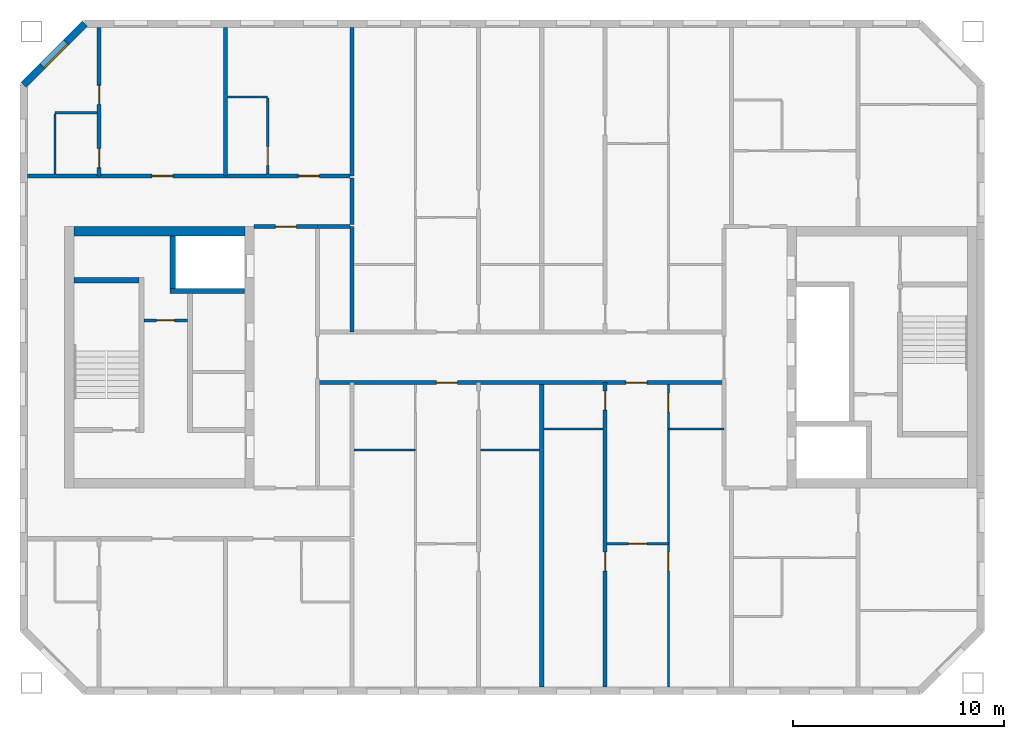
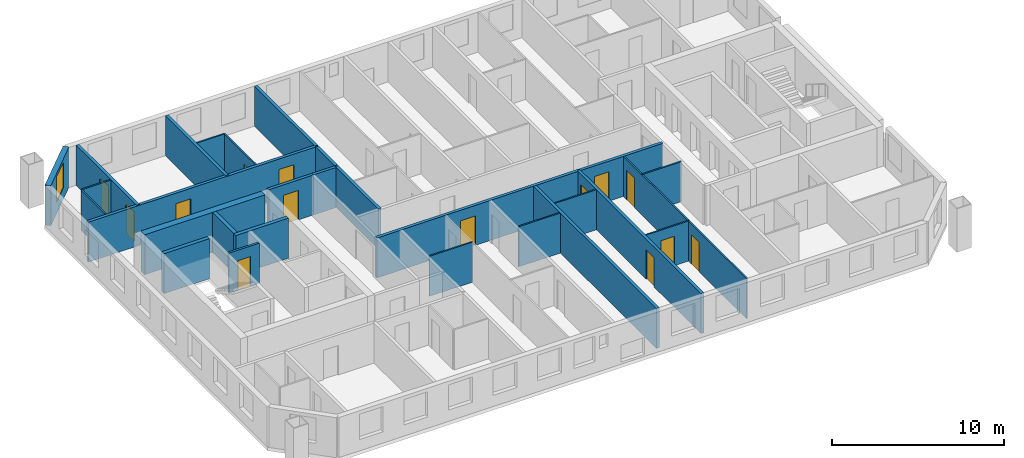
# One storey, part 4 of 15: 27 walls, 14 doors, 1 window, 15 openings.
"""IFC4 building model written with IfcOpenShell, lengths in metres."""

import ifcopenshell
import ifcopenshell.guid

model = None  # the IFC model being written
_history = None  # IfcOwnerHistory: only IFC2X3 demands one
_inside = {}  # id of a spatial element -> (the spatial element, [elements in it])
_under = {}  # id of a project, library or spatial element -> (it, [spatial elements below it])
_declared = {}  # id of a project -> (the project, [libraries it declares])
_typed = {}  # id of a type object -> (the type object, [elements of that type])
_made_of = {}  # id of a material, layer set ... -> (it, [elements and type objects made of it])


def new_model(schema):
    """Start an empty IFC model of exactly this schema.

    Asked for "IFC4X3", IfcOpenShell would pick the latest addendum, in which some entities
    have other attributes; the version numbers below select the first issue.
    IFC2X3 requires an IfcOwnerHistory on every rooted entity: one is made here for all.
    """
    global model, _history
    if schema == "IFC4X3":
        model = ifcopenshell.file(schema_version=(4, 3, 0, 0))
    else:
        model = ifcopenshell.file(schema=schema)
    _inside.clear()
    _under.clear()
    _declared.clear()
    _typed.clear()
    _made_of.clear()
    _history = None
    if model.schema == "IFC2X3":
        org = make("IfcOrganization", Name="unknown")
        user = make(
            "IfcPersonAndOrganization",
            ThePerson=make("IfcPerson", FamilyName="unknown"),
            TheOrganization=org,
        )
        app = make(
            "IfcApplication",
            ApplicationDeveloper=org,
            Version="unknown",
            ApplicationFullName="unknown",
            ApplicationIdentifier="unknown",
        )
        _history = make(
            "IfcOwnerHistory",
            OwningUser=user,
            OwningApplication=app,
            ChangeAction="ADDED",
            CreationDate=0,
        )
    return model


def make(cls, **values):
    """One entity of the class cls with the attributes given. An attribute that is None is left unset."""
    return model.create_entity(
        cls, **{name: value for name, value in values.items() if value is not None}
    )


def rooted(cls, **values):
    """An entity with a GlobalId (a new one), such as an element, a storey or a relation."""
    return make(cls, GlobalId=ifcopenshell.guid.new(), OwnerHistory=_history, **values)


def si_unit(unit_type, name, prefix=None):
    """IfcSIUnit, for example si_unit("LENGTHUNIT", "METRE", prefix="MILLI")."""
    return make("IfcSIUnit", UnitType=unit_type, Prefix=prefix, Name=name)


def assignment(units):
    """IfcUnitAssignment: the units of a project."""
    return None if units is None else make("IfcUnitAssignment", Units=units)


def point(xyz):
    """IfcCartesianPoint."""
    return None if xyz is None else make("IfcCartesianPoint", Coordinates=xyz)


def direction(xyz):
    """IfcDirection."""
    return None if xyz is None else make("IfcDirection", DirectionRatios=xyz)


def frame(location, z_axis=None, x_axis=None):
    """IfcAxis2Placement3D, a coordinate frame: its origin and axes. An axis left out is left unset."""
    return make(
        "IfcAxis2Placement3D",
        Location=point(location),
        Axis=direction(z_axis),
        RefDirection=direction(x_axis),
    )


def frame_2d(location, x_axis=None):
    """IfcAxis2Placement2D, a coordinate frame in the plane: its origin and x axis."""
    return make(
        "IfcAxis2Placement2D", Location=point(location), RefDirection=direction(x_axis)
    )


def origin():
    """The frame at (0, 0, 0) with its axes left unset."""
    return frame((0.0, 0.0, 0.0))


def place(relative_to, where):
    """IfcLocalPlacement: puts the frame where relative to a parent placement (None: the world)."""
    return make(
        "IfcLocalPlacement", PlacementRelTo=relative_to, RelativePlacement=where
    )


def context(
    kind, dimensions, precision=None, world=None, true_north=None, identifier=None
):
    """IfcGeometricRepresentationContext, for example the 3D "Model" context."""
    return make(
        "IfcGeometricRepresentationContext",
        ContextIdentifier=identifier,
        ContextType=kind,
        CoordinateSpaceDimension=dimensions,
        Precision=precision,
        WorldCoordinateSystem=world,
        TrueNorth=true_north,
    )


def subcontext(parent, identifier, kind, view, scale=None):
    """IfcGeometricRepresentationSubContext, for example "Body" below "Model"."""
    return make(
        "IfcGeometricRepresentationSubContext",
        ContextIdentifier=identifier,
        ContextType=kind,
        ParentContext=parent,
        TargetScale=scale,
        TargetView=view,
    )


def project(units=None, contexts=None):
    """IfcProject with its units and contexts."""
    return rooted(
        "IfcProject",
        Name="project",
        RepresentationContexts=contexts,
        UnitsInContext=assignment(units),
    )


def spatial(cls, under=None, at=None, **own):
    """A site, building, storey or space (cls), placed at a placement, below another one or the project."""
    s = rooted(cls, ObjectPlacement=at, **own)
    if under is not None:
        _under.setdefault(under.id(), (under, []))[1].append(s)
    return s


def profile(cls, at=None, kind="AREA", **sizes):
    """A parametric profile (cls). Its sizes go by their IFC names, for example OverallWidth=200.0."""
    return make(cls, ProfileType=kind, Position=at, **sizes)


def rectangle(**sizes):
    """IfcRectangleProfileDef."""
    return profile("IfcRectangleProfileDef", **sizes)


def extrude(swept, where, along, depth):
    """IfcExtrudedAreaSolid: the profile swept, set in the frame where, extruded along a direction by depth."""
    return make(
        "IfcExtrudedAreaSolid",
        SweptArea=swept,
        Position=where,
        ExtrudedDirection=direction(along),
        Depth=depth,
    )


def shape(context_of_items, identifier, shape_type, items):
    """IfcShapeRepresentation: the items that make up one representation, for example the "Body"."""
    return make(
        "IfcShapeRepresentation",
        ContextOfItems=context_of_items,
        RepresentationIdentifier=identifier,
        RepresentationType=shape_type,
        Items=items,
    )


def material(Name=None, Category=None):
    """IfcMaterial."""
    return make("IfcMaterial", Name=Name, Category=Category)


def layer(
    of_material, thickness, ventilated=None, Name=None, Category=None, Priority=None
):
    """IfcMaterialLayer: one layer of a wall or slab, of a material (None: an air gap)."""
    return make(
        "IfcMaterialLayer",
        Material=of_material,
        LayerThickness=thickness,
        IsVentilated=ventilated,
        Name=Name,
        Category=Category,
        Priority=Priority,
    )


def layer_set(layers, Name=None):
    """IfcMaterialLayerSet."""
    return make("IfcMaterialLayerSet", MaterialLayers=layers, LayerSetName=Name)


def made_of(thing, what):
    """Note that an element or type object is made of a material, layer set ...; save() writes the relation."""
    if what is not None:
        _made_of.setdefault(what.id(), (what, []))[1].append(thing)
    return thing


def type_object(cls, material=None, **own):
    """A type object (cls), such as IfcWallType, which elements share."""
    return made_of(rooted(cls, **own), material)


def element(
    cls,
    number,
    at=None,
    inside=None,
    cuts=None,
    type_object=None,
    material=None,
    context=None,
    identifier="Body",
    shape_type=None,
    held_by="IfcProductDefinitionShape",
    body=None,
    shapes=None,
    **own,
):
    """One element of the class cls, such as IfcWall. Its Tag is "e" and its number.

    at: its placement. inside: the storey or other place that contains it. cuts: it is an
    opening in that element (IfcRelVoidsElement). A single representation is given by context,
    identifier, shape_type and body (its items); several are given by shapes. held_by: the class
    of the entity that holds the representations. save() writes the other relations.
    """
    e = rooted(cls, Tag="e%d" % number, ObjectPlacement=at, **own)
    if body is not None:
        shapes = [shape(context, identifier, shape_type, body)]
    if shapes is not None:
        e.Representation = make(held_by, Representations=shapes)
    if inside is not None:
        _inside.setdefault(inside.id(), (inside, []))[1].append(e)
    if cuts is not None:
        rooted(
            "IfcRelVoidsElement", RelatingBuildingElement=cuts, RelatedOpeningElement=e
        )
    if type_object is not None:
        _typed.setdefault(type_object.id(), (type_object, []))[1].append(e)
    return made_of(e, material)


def fill(opening, filler):
    """IfcRelFillsElement: the door or window that sits in an opening."""
    return rooted(
        "IfcRelFillsElement",
        RelatingOpeningElement=opening,
        RelatedBuildingElement=filler,
    )


def aggregate(whole, parts):
    """IfcRelAggregates: a whole, such as a stair, and the parts it consists of."""
    return rooted("IfcRelAggregates", RelatingObject=whole, RelatedObjects=parts)


def save(model, path):
    """Write the relations noted so far, then the file.

    IfcRelAggregates (storeys below a building ...), IfcRelContainedInSpatialStructure (elements
    in a storey), IfcRelDefinesByType, IfcRelAssociatesMaterial and IfcRelDeclares: one each for
    every whole, place, type object, material and project.
    """
    for whole, parts in _under.values():
        aggregate(whole, parts)
    for where, things in _inside.values():
        rooted(
            "IfcRelContainedInSpatialStructure",
            RelatedElements=things,
            RelatingStructure=where,
        )
    for kind, things in _typed.values():
        rooted("IfcRelDefinesByType", RelatedObjects=things, RelatingType=kind)
    for what, things in _made_of.values():
        rooted("IfcRelAssociatesMaterial", RelatedObjects=things, RelatingMaterial=what)
    for by, libraries in _declared.values():
        rooted("IfcRelDeclares", RelatingContext=by, RelatedDefinitions=libraries)
    model.write(path)


model = new_model("IFC4")

# Units and contexts
model_context = context("Model", 3, precision=1e-05, world=origin(), true_north=direction((0.0, 1.0)))
body_context = subcontext(model_context, "Body", "Model", "MODEL_VIEW")
ifc_project = project(units=[si_unit("LENGTHUNIT", "METRE"), si_unit("AREAUNIT", "SQUARE_METRE"), si_unit("VOLUMEUNIT", "CUBIC_METRE"), si_unit("PLANEANGLEUNIT", "RADIAN"), si_unit("MASSUNIT", "GRAM", prefix="KILO")], contexts=[model_context])

# Site, building, storey
site_placement = place(None, origin())
site = spatial("IfcSite", under=ifc_project, at=site_placement, CompositionType="ELEMENT")
building_placement = place(site_placement, origin())
building = spatial("IfcBuilding", under=site, at=building_placement, Name="Tuart Gate Housing", CompositionType="ELEMENT")
storey_placement = place(building_placement, frame((0.0, 0.0, 191.300048828125)))
storey = spatial("IfcBuildingStorey", under=building, at=storey_placement, Name="L54", CompositionType="ELEMENT", Elevation=191.300048828125)

# Wall, opening, window
ifc_material_1 = material(Name="Brick", Category="masonry")
ifc_layer_1 = layer(ifc_material_1, 0.360107421875)
ifc_layer_set_1 = layer_set([ifc_layer_1], Name="Brick pier and spandrel wall 360")
wall_type_1 = type_object("IfcWallType", Name="Brick pier and spandrel wall 360", PredefinedType="STANDARD", material=ifc_layer_set_1)
wall_1_placement = place(storey_placement, frame((33.32470703125, 85.820068359375, 0.0), z_axis=(0.0, 0.0, 1.0), x_axis=(-0.707106781187, -0.707106781187, 0.0)))
wall_1 = element("IfcWall", 1, at=wall_1_placement, inside=storey, type_object=wall_type_1, Name="External wall A-NW L54", PredefinedType="STANDARD", context=body_context, shape_type="SweptSolid", body=[
    extrude(rectangle(XDim=4.09375, YDim=0.360107421875, at=frame_2d((2.046875, 0.0))), origin(), (0.0, 0.0, 1.0), 2.849853515625),
])
opening_1_placement = place(wall_1_placement, frame((1.2470703125, 0.0, 0.800048828125)))
opening_1 = element("IfcOpeningElement", 2, at=opening_1_placement, cuts=wall_1, Name="Opening W1", PredefinedType="OPENING", context=body_context, shape_type="SweptSolid", body=[
    extrude(rectangle(XDim=1.60009765625, YDim=1.800048828125, at=frame_2d((0.800048828125, 0.89990234375))), frame((0.0, 0.18994140625, 0.0), z_axis=(0.0, -1.0, 0.0), x_axis=(1.0, 0.0, 0.0)), (0.0, 0.0, 1.0), 0.380126953125),
])
ifc_material_2 = material(Name="Aluminium frame with clear glass", Category="aluminium")
window_type = type_object("IfcWindowType", Name="Punched window 1600 x 1800", PartitioningType="SINGLE_PANEL", PredefinedType="WINDOW", material=ifc_material_2)
window_placement = place(opening_1_placement, origin())
window = element("IfcWindow", 3, at=window_placement, inside=storey, type_object=window_type, Name="Window W1", OverallHeight=1.800048828125, OverallWidth=1.60009765625, PartitioningType="SINGLE_PANEL", PredefinedType="WINDOW", context=body_context, shape_type="SweptSolid", body=[
    extrude(rectangle(XDim=1.60009765625, YDim=1.800048828125, at=frame_2d((0.800048828125, 0.89990234375))), frame((0.0, 0.150146484375, 0.0), z_axis=(0.0, -1.0, 0.0), x_axis=(1.0, 0.0, 0.0)), (0.0, 0.0, 1.0), 0.06005859375),
])
fill(opening_1, window)

# Wall, opening, door
ifc_material_3 = material(Name="Plasterboard partition")
ifc_layer_2 = layer(ifc_material_3, 0.14990234375)
ifc_layer_set_2 = layer_set([ifc_layer_2], Name="Core partition 150")
wall_type_2 = type_object("IfcWallType", Name="Core partition 150", PredefinedType="PARTITIONING", material=ifc_layer_set_2)
wall_2_placement = place(storey_placement, frame((38.18505859375, 71.75, 0.0), z_axis=(0.0, 0.0, 1.0), x_axis=(-1.0, 0.0, 0.0)))
wall_2 = element("IfcWall", 4, at=wall_2_placement, inside=storey, type_object=wall_type_2, Name="Core partition AK.3", PredefinedType="PARTITIONING", context=body_context, shape_type="SweptSolid", body=[
    extrude(rectangle(XDim=2.050048828125, YDim=0.14990234375, at=frame_2d((1.02490234375, 0.0))), origin(), (0.0, 0.0, 1.0), 2.849853515625),
])
opening_2_placement = place(wall_2_placement, frame((0.60009765625, 0.0, 0.0)))
opening_2 = element("IfcOpeningElement", 5, at=opening_2_placement, cuts=wall_2, Name="Opening D2629", PredefinedType="OPENING", context=body_context, shape_type="SweptSolid", body=[
    extrude(rectangle(XDim=0.85009765625, YDim=2.10009765625, at=frame_2d((0.425048828125, 1.050048828125))), frame((0.0, 0.0849609375, 0.0), z_axis=(0.0, -1.0, 0.0), x_axis=(1.0, 0.0, 0.0)), (0.0, 0.0, 1.0), 0.169921875),
])
ifc_material_4 = material(Name="Steel fire door", Category="steel")
door_type_1 = type_object("IfcDoorType", Name="Riser door 850 x 2100 RH", OperationType="SINGLE_SWING_RIGHT", PredefinedType="DOOR", material=ifc_material_4)
door_1_placement = place(opening_2_placement, frame((0.85009765625, 0.0, 0.0), z_axis=(0.0, 0.0, 1.0), x_axis=(-1.0, 0.0, 0.0)))
door_1 = element("IfcDoor", 6, at=door_1_placement, inside=storey, type_object=door_type_1, Name="Service room door AK.E1", OperationType="SINGLE_SWING_RIGHT", OverallHeight=2.10009765625, OverallWidth=0.85009765625, PredefinedType="DOOR", context=body_context, shape_type="SweptSolid", body=[
    extrude(rectangle(XDim=0.85009765625, YDim=2.10009765625, at=frame_2d((0.425048828125, 1.050048828125))), frame((0.0, 0.025146484375, 0.0), z_axis=(0.0, -1.0, 0.0), x_axis=(1.0, 0.0, 0.0)), (0.0, 0.0, 1.0), 0.050048828125),
])
fill(opening_2, door_1)

# Walls
ifc_material_5 = material(Name="Concrete C40", Category="concrete")
ifc_layer_3 = layer(ifc_material_5, 0.25)
ifc_layer_set_3 = layer_set([ifc_layer_3], Name="Core wall 250 C40")
wall_type_3 = type_object("IfcWallType", Name="Core wall 250 C40", PredefinedType="SHEAR", material=ifc_layer_set_3)
wall_3_placement = place(storey_placement, frame((35.885009765625, 73.64990234375, 0.0), z_axis=(0.0, 0.0, 1.0), x_axis=(-1.0, 0.0, 0.0)))
element("IfcWall", 7, at=wall_3_placement, inside=storey, type_object=wall_type_3, Name="Core wall AK.1", PredefinedType="SHEAR", context=body_context, shape_type="SweptSolid", body=[
    extrude(rectangle(XDim=3.074951171875, YDim=0.25, at=frame_2d((1.53759765625, 0.0))), origin(), (0.0, 0.0, 1.0), 2.849853515625),
])
wall_4_placement = place(storey_placement, frame((40.909912109375, 73.14990234375, 0.0), z_axis=(0.0, 0.0, 1.0), x_axis=(-1.0, 0.0, 0.0)))
element("IfcWall", 8, at=wall_4_placement, inside=storey, type_object=wall_type_3, Name="Core wall AK.2", PredefinedType="SHEAR", context=body_context, shape_type="SweptSolid", body=[
    extrude(rectangle(XDim=3.544921875, YDim=0.25, at=frame_2d((1.7724609375, 0.0))), origin(), (0.0, 0.0, 1.0), 2.849853515625),
])
wall_5_placement = place(storey_placement, frame((37.489990234375, 75.75, 0.0), z_axis=(0.0, 0.0, 1.0), x_axis=(0.0, -1.0, 0.0)))
element("IfcWall", 9, at=wall_5_placement, inside=storey, type_object=wall_type_3, Name="Core wall AK.8", PredefinedType="SHEAR", context=body_context, shape_type="SweptSolid", body=[
    extrude(rectangle(XDim=2.47509765625, YDim=0.25, at=frame_2d((1.237548828125, 0.0))), origin(), (0.0, 0.0, 1.0), 2.849853515625),
])
ifc_material_6 = material(Name="Concrete C40", Category="concrete")
ifc_layer_4 = layer(ifc_material_6, 0.449951171875)
ifc_layer_set_4 = layer_set([ifc_layer_4], Name="Core wall 450 C40")
wall_type_4 = type_object("IfcWallType", Name="Core wall 450 C40", PredefinedType="SHEAR", material=ifc_layer_set_4)
wall_6_placement = place(storey_placement, frame((40.909912109375, 75.97509765625, 0.0), z_axis=(0.0, 0.0, 1.0), x_axis=(-1.0, 0.0, 0.0)))
element("IfcWall", 10, at=wall_6_placement, inside=storey, type_object=wall_type_4, Name="Core wall AK south", PredefinedType="SHEAR", context=body_context, shape_type="SweptSolid", body=[
    extrude(rectangle(XDim=8.099853515625, YDim=0.449951171875, at=frame_2d((4.0498046875, 0.0))), origin(), (0.0, 0.0, 1.0), 2.849853515625),
])

# Wall, openings, doors
ifc_material_7 = material(Name="Concrete masonry 15 MPa", Category="masonry")
ifc_layer_5 = layer(ifc_material_7, 0.199951171875)
ifc_layer_set_5 = layer_set([ifc_layer_5], Name="Corridor wall masonry 200")
wall_type_5 = type_object("IfcWallType", Name="Corridor wall masonry 200", PredefinedType="PARTITIONING", material=ifc_layer_set_5)
wall_7_placement = place(storey_placement, frame((44.360107421875, 68.800048828125, 0.0), z_axis=(0.0, 0.0, 1.0), x_axis=(1.0, 0.0, 0.0)))
wall_7 = element("IfcWall", 11, at=wall_7_placement, inside=storey, type_object=wall_type_5, Name="Corridor wall masonry 200", PredefinedType="PARTITIONING", context=body_context, shape_type="SweptSolid", body=[
    extrude(rectangle(XDim=19.27978515625, YDim=0.199951171875, at=frame_2d((9.639892578125, 0.0))), origin(), (0.0, 0.0, 1.0), 2.849853515625),
])
opening_3_placement = place(wall_7_placement, frame((14.639892578125, 0.0, 0.0)))
opening_3 = element("IfcOpeningElement", 12, at=opening_3_placement, cuts=wall_7, Name="Opening D2639", PredefinedType="OPENING", context=body_context, shape_type="SweptSolid", body=[
    extrude(rectangle(XDim=1.0, YDim=2.10009765625, at=frame_2d((0.5, 1.050048828125))), frame((0.0, 0.10986328125, 0.0), z_axis=(0.0, -1.0, 0.0), x_axis=(1.0, 0.0, 0.0)), (0.0, 0.0, 1.0), 0.219970703125),
])
opening_4_placement = place(wall_7_placement, frame((5.639892578125, 0.0, 0.0)))
opening_4 = element("IfcOpeningElement", 13, at=opening_4_placement, cuts=wall_7, Name="Opening D2640", PredefinedType="OPENING", context=body_context, shape_type="SweptSolid", body=[
    extrude(rectangle(XDim=1.0, YDim=2.10009765625, at=frame_2d((0.5, 1.050048828125))), frame((0.0, 0.10986328125, 0.0), z_axis=(0.0, -1.0, 0.0), x_axis=(1.0, 0.0, 0.0)), (0.0, 0.0, 1.0), 0.219970703125),
])
ifc_material_8 = material(Name="Timber door leaf in steel frame", Category="steel")
door_type_2 = type_object("IfcDoorType", Name="Flat entrance door 1000 RH", OperationType="SINGLE_SWING_RIGHT", PredefinedType="DOOR", material=ifc_material_8)
door_2_placement = place(opening_3_placement, frame((1.0, 0.0, 0.0), z_axis=(0.0, 0.0, 1.0), x_axis=(-1.0, 0.0, 0.0)))
door_2 = element("IfcDoor", 14, at=door_2_placement, inside=storey, type_object=door_type_2, Name="Flat entrance door", OperationType="SINGLE_SWING_RIGHT", OverallHeight=2.10009765625, OverallWidth=1.0, PredefinedType="DOOR", context=body_context, shape_type="SweptSolid", body=[
    extrude(rectangle(XDim=1.0, YDim=2.10009765625, at=frame_2d((0.5, 1.050048828125))), frame((0.0, 0.025146484375, 0.0), z_axis=(0.0, -1.0, 0.0), x_axis=(1.0, 0.0, 0.0)), (0.0, 0.0, 1.0), 0.050048828125),
])
fill(opening_3, door_2)
door_3_placement = place(opening_4_placement, frame((1.0, 0.0, 0.0), z_axis=(0.0, 0.0, 1.0), x_axis=(-1.0, 0.0, 0.0)))
door_3 = element("IfcDoor", 15, at=door_3_placement, inside=storey, type_object=door_type_2, Name="Flat entrance door", OperationType="SINGLE_SWING_RIGHT", OverallHeight=2.10009765625, OverallWidth=1.0, PredefinedType="DOOR", context=body_context, shape_type="SweptSolid", body=[
    extrude(rectangle(XDim=1.0, YDim=2.10009765625, at=frame_2d((0.5, 1.050048828125))), frame((0.0, 0.025146484375, 0.0), z_axis=(0.0, -1.0, 0.0), x_axis=(1.0, 0.0, 0.0)), (0.0, 0.0, 1.0), 0.050048828125),
])
fill(opening_4, door_3)

# Wall
wall_8_placement = place(storey_placement, frame((44.360107421875, 76.199951171875, 0.0), z_axis=(0.0, 0.0, 1.0), x_axis=(1.0, 0.0, 0.0)))
element("IfcWall", 16, at=wall_8_placement, inside=storey, type_object=wall_type_5, Name="Corridor wall masonry 200", PredefinedType="PARTITIONING", context=body_context, shape_type="SweptSolid", body=[
    extrude(rectangle(XDim=1.539794921875, YDim=0.199951171875, at=frame_2d((0.77001953125, 0.0))), origin(), (0.0, 0.0, 1.0), 2.849853515625),
])

# Wall, openings, doors
wall_9_placement = place(storey_placement, frame((30.610107421875, 78.60009765625, 0.0), z_axis=(0.0, 0.0, 1.0), x_axis=(1.0, 0.0, 0.0)))
wall_9 = element("IfcWall", 17, at=wall_9_placement, inside=storey, type_object=wall_type_5, Name="Corridor wall masonry 200", PredefinedType="PARTITIONING", context=body_context, shape_type="SweptSolid", body=[
    extrude(rectangle(XDim=15.289794921875, YDim=0.199951171875, at=frame_2d((7.64501953125, 0.0))), origin(), (0.0, 0.0, 1.0), 2.849853515625),
])
opening_5_placement = place(wall_9_placement, frame((12.840087890625, 0.0, 0.0)))
opening_5 = element("IfcOpeningElement", 18, at=opening_5_placement, cuts=wall_9, Name="Opening D2615", PredefinedType="OPENING", context=body_context, shape_type="SweptSolid", body=[
    extrude(rectangle(XDim=1.0, YDim=2.10009765625, at=frame_2d((0.5, 1.050048828125))), frame((0.0, 0.10986328125, 0.0), z_axis=(0.0, -1.0, 0.0), x_axis=(1.0, 0.0, 0.0)), (0.0, 0.0, 1.0), 0.219970703125),
])
opening_6_placement = place(wall_9_placement, frame((5.889892578125, 0.0, 0.0)))
opening_6 = element("IfcOpeningElement", 19, at=opening_6_placement, cuts=wall_9, Name="Opening D2616", PredefinedType="OPENING", context=body_context, shape_type="SweptSolid", body=[
    extrude(rectangle(XDim=1.0, YDim=2.10009765625, at=frame_2d((0.5, 1.050048828125))), frame((0.0, 0.10986328125, 0.0), z_axis=(0.0, -1.0, 0.0), x_axis=(1.0, 0.0, 0.0)), (0.0, 0.0, 1.0), 0.219970703125),
])
ifc_material_9 = material(Name="Timber door leaf in steel frame", Category="steel")
door_type_3 = type_object("IfcDoorType", Name="Flat entrance door 1000", OperationType="SINGLE_SWING_LEFT", PredefinedType="DOOR", material=ifc_material_9)
door_4_placement = place(opening_5_placement, origin())
door_4 = element("IfcDoor", 20, at=door_4_placement, inside=storey, type_object=door_type_3, Name="Flat entrance door", OperationType="SINGLE_SWING_LEFT", OverallHeight=2.10009765625, OverallWidth=1.0, PredefinedType="DOOR", context=body_context, shape_type="SweptSolid", body=[
    extrude(rectangle(XDim=1.0, YDim=2.10009765625, at=frame_2d((0.5, 1.050048828125))), frame((0.0, 0.02490234375, 0.0), z_axis=(0.0, -1.0, 0.0), x_axis=(1.0, 0.0, 0.0)), (0.0, 0.0, 1.0), 0.050048828125),
])
fill(opening_5, door_4)
door_5_placement = place(opening_6_placement, origin())
door_5 = element("IfcDoor", 21, at=door_5_placement, inside=storey, type_object=door_type_3, Name="Flat entrance door", OperationType="SINGLE_SWING_LEFT", OverallHeight=2.10009765625, OverallWidth=1.0, PredefinedType="DOOR", context=body_context, shape_type="SweptSolid", body=[
    extrude(rectangle(XDim=1.0, YDim=2.10009765625, at=frame_2d((0.5, 1.050048828125))), frame((0.0, 0.02490234375, 0.0), z_axis=(0.0, -1.0, 0.0), x_axis=(1.0, 0.0, 0.0)), (0.0, 0.0, 1.0), 0.050048828125),
])
fill(opening_6, door_5)

# Wall
wall_10_placement = place(storey_placement, frame((46.0, 76.300048828125, 0.0), z_axis=(0.0, 0.0, 1.0), x_axis=(0.0, 1.0, 0.0)))
element("IfcWall", 22, at=wall_10_placement, inside=storey, type_object=wall_type_5, Name="Corridor wall masonry 200", PredefinedType="PARTITIONING", context=body_context, shape_type="SweptSolid", body=[
    extrude(rectangle(XDim=2.199951171875, YDim=0.199951171875, at=frame_2d((1.10009765625, 0.0))), origin(), (0.0, 0.0, 1.0), 2.849853515625),
])

# Wall, opening, door
ifc_material_10 = material(Name="Concrete masonry 15 MPa", Category="masonry")
ifc_layer_6 = layer(ifc_material_10, 0.199951171875)
ifc_layer_set_6 = layer_set([ifc_layer_6], Name="Enclosure wall masonry 200")
wall_type_6 = type_object("IfcWallType", Name="Enclosure wall masonry 200", PredefinedType="PARTITIONING", material=ifc_layer_set_6)
wall_11_placement = place(storey_placement, frame((41.360107421875, 76.199951171875, 0.0), z_axis=(0.0, 0.0, 1.0), x_axis=(1.0, 0.0, 0.0)))
wall_11 = element("IfcWall", 23, at=wall_11_placement, inside=storey, type_object=wall_type_6, Name="Enclosure wall masonry 200", PredefinedType="PARTITIONING", context=body_context, shape_type="SweptSolid", body=[
    extrude(rectangle(XDim=3.0, YDim=0.199951171875, at=frame_2d((1.5, 0.0))), origin(), (0.0, 0.0, 1.0), 2.849853515625),
])
opening_7_placement = place(wall_11_placement, frame((1.0, 0.0, 0.0)))
opening_7 = element("IfcOpeningElement", 24, at=opening_7_placement, cuts=wall_11, Name="Opening D2626", PredefinedType="OPENING", context=body_context, shape_type="SweptSolid", body=[
    extrude(rectangle(XDim=1.0, YDim=2.10009765625, at=frame_2d((0.5, 1.050048828125))), frame((0.0, 0.10986328125, 0.0), z_axis=(0.0, -1.0, 0.0), x_axis=(1.0, 0.0, 0.0)), (0.0, 0.0, 1.0), 0.219970703125),
])
ifc_material_11 = material(Name="Timber door leaf in steel frame", Category="steel")
door_type_4 = type_object("IfcDoorType", Name="Fire door 1000 RH", OperationType="SINGLE_SWING_RIGHT", PredefinedType="DOOR", material=ifc_material_11)
door_6_placement = place(opening_7_placement, origin())
door_6 = element("IfcDoor", 25, at=door_6_placement, inside=storey, type_object=door_type_4, Name="Fire door", OperationType="SINGLE_SWING_RIGHT", OverallHeight=2.10009765625, OverallWidth=1.0, PredefinedType="DOOR", context=body_context, shape_type="SweptSolid", body=[
    extrude(rectangle(XDim=1.0, YDim=2.10009765625, at=frame_2d((0.5, 1.050048828125))), frame((0.0, 0.02490234375, 0.0), z_axis=(0.0, -1.0, 0.0), x_axis=(1.0, 0.0, 0.0)), (0.0, 0.0, 1.0), 0.050048828125),
])
fill(opening_7, door_6)

ifc_material_12 = material(Name="Gypsum board on steel studs", Category="steel")
ifc_layer_7 = layer(ifc_material_12, 0.10009765625)
ifc_layer_set_7 = layer_set([ifc_layer_7], Name="Partition 100")
wall_type_7 = type_object("IfcWallType", Name="Partition 100", PredefinedType="PARTITIONING", material=ifc_layer_set_7)
wall_12_placement = place(storey_placement, frame((58.10009765625, 61.159912109375, 0.0), z_axis=(0.0, 0.0, 1.0), x_axis=(1.0, 0.0, 0.0)))
wall_12 = element("IfcWall", 26, at=wall_12_placement, inside=storey, type_object=wall_type_7, Name="Partition 100", PredefinedType="PARTITIONING", context=body_context, shape_type="SweptSolid", body=[
    extrude(rectangle(XDim=2.89990234375, YDim=0.10009765625, at=frame_2d((1.449951171875, 0.0))), origin(), (0.0, 0.0, 1.0), 2.849853515625),
])
opening_8_placement = place(wall_12_placement, frame((1.0, 0.0, 0.0)))
opening_8 = element("IfcOpeningElement", 27, at=opening_8_placement, cuts=wall_12, Name="Opening D2656", PredefinedType="OPENING", context=body_context, shape_type="SweptSolid", body=[
    extrude(rectangle(XDim=0.89990234375, YDim=2.10009765625, at=frame_2d((0.449951171875, 1.050048828125))), frame((0.0, 0.06005859375, 0.0), z_axis=(0.0, -1.0, 0.0), x_axis=(1.0, 0.0, 0.0)), (0.0, 0.0, 1.0), 0.1201171875),
])
ifc_material_13 = material(Name="Timber door leaf in steel frame", Category="steel")
door_type_5 = type_object("IfcDoorType", Name="Internal door 900 RH", OperationType="SINGLE_SWING_RIGHT", PredefinedType="DOOR", material=ifc_material_13)
door_7_placement = place(opening_8_placement, origin())
door_7 = element("IfcDoor", 28, at=door_7_placement, inside=storey, type_object=door_type_5, Name="Internal door", OperationType="SINGLE_SWING_RIGHT", OverallHeight=2.10009765625, OverallWidth=0.89990234375, PredefinedType="DOOR", context=body_context, shape_type="SweptSolid", body=[
    extrude(rectangle(XDim=0.89990234375, YDim=2.10009765625, at=frame_2d((0.449951171875, 1.050048828125))), frame((0.0, 0.02490234375, 0.0), z_axis=(0.0, -1.0, 0.0), x_axis=(1.0, 0.0, 0.0)), (0.0, 0.0, 1.0), 0.050048828125),
])
fill(opening_8, door_7)

# Walls
wall_13_placement = place(storey_placement, frame((46.10009765625, 65.60009765625, 0.0), z_axis=(0.0, 0.0, 1.0), x_axis=(1.0, 0.0, 0.0)))
element("IfcWall", 29, at=wall_13_placement, inside=storey, type_object=wall_type_7, Name="Partition 100", PredefinedType="PARTITIONING", context=body_context, shape_type="SweptSolid", body=[
    extrude(rectangle(XDim=2.89990234375, YDim=0.10009765625, at=frame_2d((1.449951171875, 0.0))), origin(), (0.0, 0.0, 1.0), 2.849853515625),
])
for number, where, z_axis, x_axis, name in (
    (30, (52.10009765625, 65.60009765625, 0.0), (0.0, 0.0, 1.0), (1.0, 0.0, 0.0), "Partition 100"),
    (31, (55.10009765625, 66.60009765625, 0.0), (0.0, 0.0, 1.0), (1.0, 0.0, 0.0), "Partition 100"),
):
    element("IfcWall", number, at=place(storey_placement, frame(where, z_axis=z_axis, x_axis=x_axis)), inside=storey, type_object=wall_type_7, Name=name, PredefinedType="PARTITIONING", context=body_context, shape_type="SweptSolid", body=[
        extrude(rectangle(XDim=2.7998046875, YDim=0.10009765625, at=frame_2d((1.39990234375, 0.0))), origin(), (0.0, 0.0, 1.0), 2.849853515625),
    ])
wall_14_placement = place(storey_placement, frame((61.0, 66.60009765625, 0.0), z_axis=(0.0, 0.0, 1.0), x_axis=(1.0, 0.0, 0.0)))
element("IfcWall", 32, at=wall_14_placement, inside=storey, type_object=wall_type_7, Name="Partition 100", PredefinedType="PARTITIONING", context=body_context, shape_type="SweptSolid", body=[
    extrude(rectangle(XDim=2.639892578125, YDim=0.10009765625, at=frame_2d((1.31982421875, 0.0))), origin(), (0.0, 0.0, 1.0), 2.849853515625),
])
wall_15_placement = place(storey_placement, frame((31.909912109375, 81.60009765625, 0.0), z_axis=(0.0, 0.0, 1.0), x_axis=(1.0, 0.0, 0.0)))
element("IfcWall", 33, at=wall_15_placement, inside=storey, type_object=wall_type_7, Name="Partition 100", PredefinedType="PARTITIONING", context=body_context, shape_type="SweptSolid", body=[
    extrude(rectangle(XDim=1.989990234375, YDim=0.10009765625, at=frame_2d((0.9951171875, 0.0))), origin(), (0.0, 0.0, 1.0), 2.849853515625),
])
wall_16_placement = place(storey_placement, frame((40.10009765625, 82.35009765625, 0.0), z_axis=(0.0, 0.0, 1.0), x_axis=(1.0, 0.0, 0.0)))
element("IfcWall", 34, at=wall_16_placement, inside=storey, type_object=wall_type_7, Name="Partition 100", PredefinedType="PARTITIONING", context=body_context, shape_type="SweptSolid", body=[
    extrude(rectangle(XDim=1.89990234375, YDim=0.10009765625, at=frame_2d((0.949951171875, 0.0))), origin(), (0.0, 0.0, 1.0), 2.849853515625),
])
wall_17_placement = place(storey_placement, frame((31.909912109375, 78.699951171875, 0.0), z_axis=(0.0, 0.0, 1.0), x_axis=(0.0, 1.0, 0.0)))
element("IfcWall", 35, at=wall_17_placement, inside=storey, type_object=wall_type_7, Name="Partition 100", PredefinedType="PARTITIONING", context=body_context, shape_type="SweptSolid", body=[
    extrude(rectangle(XDim=2.85009765625, YDim=0.10009765625, at=frame_2d((1.425048828125, 0.0))), origin(), (0.0, 0.0, 1.0), 2.849853515625),
])

# Wall, opening, door
wall_18_placement = place(storey_placement, frame((42.0, 78.699951171875, 0.0), z_axis=(0.0, 0.0, 1.0), x_axis=(0.0, 1.0, 0.0)))
wall_18 = element("IfcWall", 36, at=wall_18_placement, inside=storey, type_object=wall_type_7, Name="Partition 100", PredefinedType="PARTITIONING", context=body_context, shape_type="SweptSolid", body=[
    extrude(rectangle(XDim=3.60009765625, YDim=0.10009765625, at=frame_2d((1.800048828125, 0.0))), origin(), (0.0, 0.0, 1.0), 2.849853515625),
])
opening_9_placement = place(wall_18_placement, frame((0.39990234375, 0.0, 0.0)))
opening_9 = element("IfcOpeningElement", 37, at=opening_9_placement, cuts=wall_18, Name="Opening D2611", PredefinedType="OPENING", context=body_context, shape_type="SweptSolid", body=[
    extrude(rectangle(XDim=0.89990234375, YDim=2.10009765625, at=frame_2d((0.449951171875, 1.050048828125))), frame((0.0, 0.06005859375, 0.0), z_axis=(0.0, -1.0, 0.0), x_axis=(1.0, 0.0, 0.0)), (0.0, 0.0, 1.0), 0.1201171875),
])
ifc_material_14 = material(Name="Timber door leaf in steel frame", Category="steel")
door_type_6 = type_object("IfcDoorType", Name="Bathroom door 900", OperationType="SINGLE_SWING_LEFT", PredefinedType="DOOR", material=ifc_material_14)
door_8_placement = place(opening_9_placement, origin())
door_8 = element("IfcDoor", 38, at=door_8_placement, inside=storey, type_object=door_type_6, Name="Bathroom door", OperationType="SINGLE_SWING_LEFT", OverallHeight=2.10009765625, OverallWidth=0.89990234375, PredefinedType="DOOR", context=body_context, shape_type="SweptSolid", body=[
    extrude(rectangle(XDim=0.89990234375, YDim=2.10009765625, at=frame_2d((0.449951171875, 1.050048828125))), frame((0.0, 0.02490234375, 0.0), z_axis=(0.0, -1.0, 0.0), x_axis=(1.0, 0.0, 0.0)), (0.0, 0.0, 1.0), 0.050048828125),
])
fill(opening_9, door_8)

# Wall, openings, doors
wall_19_placement = place(storey_placement, frame((61.0, 54.360107421875, 0.0), z_axis=(0.0, 0.0, 1.0), x_axis=(0.0, 1.0, 0.0)))
wall_19 = element("IfcWall", 39, at=wall_19_placement, inside=storey, type_object=wall_type_7, Name="Partition 100", PredefinedType="PARTITIONING", context=body_context, shape_type="SweptSolid", body=[
    extrude(rectangle(XDim=14.33984375, YDim=0.10009765625, at=frame_2d((7.169921875, 0.0))), origin(), (0.0, 0.0, 1.0), 2.849853515625),
])
opening_10_placement = place(wall_19_placement, frame((5.5, 0.0, 0.0)))
opening_10 = element("IfcOpeningElement", 40, at=opening_10_placement, cuts=wall_19, Name="Opening D2652", PredefinedType="OPENING", context=body_context, shape_type="SweptSolid", body=[
    extrude(rectangle(XDim=0.89990234375, YDim=2.10009765625, at=frame_2d((0.449951171875, 1.050048828125))), frame((0.0, 0.06005859375, 0.0), z_axis=(0.0, -1.0, 0.0), x_axis=(1.0, 0.0, 0.0)), (0.0, 0.0, 1.0), 0.1201171875),
])
opening_11_placement = place(wall_19_placement, frame((13.0400390625, 0.0, 0.0)))
opening_11 = element("IfcOpeningElement", 41, at=opening_11_placement, cuts=wall_19, Name="Opening D2651", PredefinedType="OPENING", context=body_context, shape_type="SweptSolid", body=[
    extrude(rectangle(XDim=0.89990234375, YDim=2.10009765625, at=frame_2d((0.449951171875, 1.050048828125))), frame((0.0, 0.06005859375, 0.0), z_axis=(0.0, -1.0, 0.0), x_axis=(1.0, 0.0, 0.0)), (0.0, 0.0, 1.0), 0.1201171875),
])
door_9_placement = place(opening_11_placement, frame((0.89990234375, 0.0, 0.0), z_axis=(0.0, 0.0, 1.0), x_axis=(-1.0, 0.0, 0.0)))
door_9 = element("IfcDoor", 42, at=door_9_placement, inside=storey, type_object=door_type_6, Name="Bathroom door", OperationType="SINGLE_SWING_LEFT", OverallHeight=2.10009765625, OverallWidth=0.89990234375, PredefinedType="DOOR", context=body_context, shape_type="SweptSolid", body=[
    extrude(rectangle(XDim=0.89990234375, YDim=2.10009765625, at=frame_2d((0.449951171875, 1.050048828125))), frame((0.0, 0.025146484375, 0.0), z_axis=(0.0, -1.0, 0.0), x_axis=(1.0, 0.0, 0.0)), (0.0, 0.0, 1.0), 0.050048828125),
])
fill(opening_11, door_9)
door_10_placement = place(opening_10_placement, frame((0.89990234375, 0.0, 0.0), z_axis=(0.0, 0.0, 1.0), x_axis=(-1.0, 0.0, 0.0)))
door_10 = element("IfcDoor", 43, at=door_10_placement, inside=storey, type_object=door_type_5, Name="Internal door", OperationType="SINGLE_SWING_RIGHT", OverallHeight=2.10009765625, OverallWidth=0.89990234375, PredefinedType="DOOR", context=body_context, shape_type="SweptSolid", body=[
    extrude(rectangle(XDim=0.89990234375, YDim=2.10009765625, at=frame_2d((0.449951171875, 1.050048828125))), frame((0.0, 0.025146484375, 0.0), z_axis=(0.0, -1.0, 0.0), x_axis=(1.0, 0.0, 0.0)), (0.0, 0.0, 1.0), 0.050048828125),
])
fill(opening_10, door_10)

ifc_material_15 = material(Name="Concrete C40", Category="concrete")
ifc_layer_8 = layer(ifc_material_15, 0.199951171875)
ifc_layer_set_8 = layer_set([ifc_layer_8], Name="Party wall concrete C40 200")
wall_type_8 = type_object("IfcWallType", Name="Party wall concrete C40 200", PredefinedType="SOLIDWALL", material=ifc_layer_set_8)
wall_20_placement = place(storey_placement, frame((34.0, 78.60009765625, 0.0), z_axis=(0.0, 0.0, 1.0), x_axis=(0.0, 1.0, 0.0)))
wall_20 = element("IfcWall", 44, at=wall_20_placement, inside=storey, type_object=wall_type_8, Name="Party wall concrete C40 200", PredefinedType="SOLIDWALL", context=body_context, shape_type="SweptSolid", body=[
    extrude(rectangle(XDim=7.039794921875, YDim=0.199951171875, at=frame_2d((3.52001953125, 0.0))), origin(), (0.0, 0.0, 1.0), 2.849853515625),
])
opening_12_placement = place(wall_20_placement, frame((3.39990234375, 0.0, 0.0)))
opening_12 = element("IfcOpeningElement", 45, at=opening_12_placement, cuts=wall_20, Name="Opening D2608", PredefinedType="OPENING", context=body_context, shape_type="SweptSolid", body=[
    extrude(rectangle(XDim=0.89990234375, YDim=2.10009765625, at=frame_2d((0.449951171875, 1.050048828125))), frame((0.0, 0.10986328125, 0.0), z_axis=(0.0, -1.0, 0.0), x_axis=(1.0, 0.0, 0.0)), (0.0, 0.0, 1.0), 0.219970703125),
])
opening_13_placement = place(wall_20_placement, frame((0.39990234375, 0.0, 0.0)))
opening_13 = element("IfcOpeningElement", 46, at=opening_13_placement, cuts=wall_20, Name="Opening D2607", PredefinedType="OPENING", context=body_context, shape_type="SweptSolid", body=[
    extrude(rectangle(XDim=0.89990234375, YDim=2.10009765625, at=frame_2d((0.449951171875, 1.050048828125))), frame((0.0, 0.10986328125, 0.0), z_axis=(0.0, -1.0, 0.0), x_axis=(1.0, 0.0, 0.0)), (0.0, 0.0, 1.0), 0.219970703125),
])
door_11_placement = place(opening_13_placement, origin())
door_11 = element("IfcDoor", 47, at=door_11_placement, inside=storey, type_object=door_type_6, Name="Bathroom door", OperationType="SINGLE_SWING_LEFT", OverallHeight=2.10009765625, OverallWidth=0.89990234375, PredefinedType="DOOR", context=body_context, shape_type="SweptSolid", body=[
    extrude(rectangle(XDim=0.89990234375, YDim=2.10009765625, at=frame_2d((0.449951171875, 1.050048828125))), frame((0.0, 0.02490234375, 0.0), z_axis=(0.0, -1.0, 0.0), x_axis=(1.0, 0.0, 0.0)), (0.0, 0.0, 1.0), 0.050048828125),
])
fill(opening_13, door_11)
ifc_material_16 = material(Name="Timber door leaf in steel frame", Category="steel")
door_type_7 = type_object("IfcDoorType", Name="Internal door 900", OperationType="SINGLE_SWING_LEFT", PredefinedType="DOOR", material=ifc_material_16)
door_12_placement = place(opening_12_placement, origin())
door_12 = element("IfcDoor", 48, at=door_12_placement, inside=storey, type_object=door_type_7, Name="Internal door", OperationType="SINGLE_SWING_LEFT", OverallHeight=2.10009765625, OverallWidth=0.89990234375, PredefinedType="DOOR", context=body_context, shape_type="SweptSolid", body=[
    extrude(rectangle(XDim=0.89990234375, YDim=2.10009765625, at=frame_2d((0.449951171875, 1.050048828125))), frame((0.0, 0.02490234375, 0.0), z_axis=(0.0, -1.0, 0.0), x_axis=(1.0, 0.0, 0.0)), (0.0, 0.0, 1.0), 0.050048828125),
])
fill(opening_12, door_12)

# Walls
wall_21_placement = place(storey_placement, frame((40.0, 78.60009765625, 0.0), z_axis=(0.0, 0.0, 1.0), x_axis=(0.0, 1.0, 0.0)))
element("IfcWall", 49, at=wall_21_placement, inside=storey, type_object=wall_type_8, Name="Party wall concrete C40 200", PredefinedType="SOLIDWALL", context=body_context, shape_type="SweptSolid", body=[
    extrude(rectangle(XDim=7.039794921875, YDim=0.199951171875, at=frame_2d((3.52001953125, 0.0))), origin(), (0.0, 0.0, 1.0), 2.849853515625),
])
wall_22_placement = place(storey_placement, frame((46.0, 71.199951171875, 0.0), z_axis=(0.0, 0.0, 1.0), x_axis=(0.0, 1.0, 0.0)))
element("IfcWall", 50, at=wall_22_placement, inside=storey, type_object=wall_type_8, Name="Party wall concrete C40 200", PredefinedType="SOLIDWALL", context=body_context, shape_type="SweptSolid", body=[
    extrude(rectangle(XDim=5.0, YDim=0.199951171875, at=frame_2d((2.5, 0.0))), origin(), (0.0, 0.0, 1.0), 2.849853515625),
])
wall_23_placement = place(storey_placement, frame((46.0, 78.60009765625, 0.0), z_axis=(0.0, 0.0, 1.0), x_axis=(0.0, 1.0, 0.0)))
element("IfcWall", 51, at=wall_23_placement, inside=storey, type_object=wall_type_8, Name="Party wall concrete C40 200", PredefinedType="SOLIDWALL", context=body_context, shape_type="SweptSolid", body=[
    extrude(rectangle(XDim=7.039794921875, YDim=0.199951171875, at=frame_2d((3.52001953125, 0.0))), origin(), (0.0, 0.0, 1.0), 2.849853515625),
])

# Wall, openings, doors
wall_24_placement = place(storey_placement, frame((58.0, 54.360107421875, 0.0), z_axis=(0.0, 0.0, 1.0), x_axis=(0.0, 1.0, 0.0)))
wall_24 = element("IfcWall", 52, at=wall_24_placement, inside=storey, type_object=wall_type_8, Name="Party wall concrete C40 200", PredefinedType="SOLIDWALL", context=body_context, shape_type="SweptSolid", body=[
    extrude(rectangle(XDim=14.43994140625, YDim=0.199951171875, at=frame_2d((7.219970703125, 0.0))), origin(), (0.0, 0.0, 1.0), 2.849853515625),
])
opening_14_placement = place(wall_24_placement, frame((5.5, 0.0, 0.0)))
opening_14 = element("IfcOpeningElement", 53, at=opening_14_placement, cuts=wall_24, Name="Opening D2648", PredefinedType="OPENING", context=body_context, shape_type="SweptSolid", body=[
    extrude(rectangle(XDim=0.89990234375, YDim=2.10009765625, at=frame_2d((0.449951171875, 1.050048828125))), frame((0.0, 0.10986328125, 0.0), z_axis=(0.0, -1.0, 0.0), x_axis=(1.0, 0.0, 0.0)), (0.0, 0.0, 1.0), 0.219970703125),
])
opening_15_placement = place(wall_24_placement, frame((13.139892578125, 0.0, 0.0)))
opening_15 = element("IfcOpeningElement", 54, at=opening_15_placement, cuts=wall_24, Name="Opening D2647", PredefinedType="OPENING", context=body_context, shape_type="SweptSolid", body=[
    extrude(rectangle(XDim=0.89990234375, YDim=2.10009765625, at=frame_2d((0.449951171875, 1.050048828125))), frame((0.0, 0.10986328125, 0.0), z_axis=(0.0, -1.0, 0.0), x_axis=(1.0, 0.0, 0.0)), (0.0, 0.0, 1.0), 0.219970703125),
])
ifc_material_17 = material(Name="Timber door leaf in steel frame", Category="steel")
door_type_8 = type_object("IfcDoorType", Name="Bathroom door 900 RH", OperationType="SINGLE_SWING_RIGHT", PredefinedType="DOOR", material=ifc_material_17)
door_13_placement = place(opening_15_placement, origin())
door_13 = element("IfcDoor", 55, at=door_13_placement, inside=storey, type_object=door_type_8, Name="Bathroom door", OperationType="SINGLE_SWING_RIGHT", OverallHeight=2.10009765625, OverallWidth=0.89990234375, PredefinedType="DOOR", context=body_context, shape_type="SweptSolid", body=[
    extrude(rectangle(XDim=0.89990234375, YDim=2.10009765625, at=frame_2d((0.449951171875, 1.050048828125))), frame((0.0, 0.02490234375, 0.0), z_axis=(0.0, -1.0, 0.0), x_axis=(1.0, 0.0, 0.0)), (0.0, 0.0, 1.0), 0.050048828125),
])
fill(opening_15, door_13)
door_14_placement = place(opening_14_placement, origin())
door_14 = element("IfcDoor", 56, at=door_14_placement, inside=storey, type_object=door_type_7, Name="Internal door", OperationType="SINGLE_SWING_LEFT", OverallHeight=2.10009765625, OverallWidth=0.89990234375, PredefinedType="DOOR", context=body_context, shape_type="SweptSolid", body=[
    extrude(rectangle(XDim=0.89990234375, YDim=2.10009765625, at=frame_2d((0.449951171875, 1.050048828125))), frame((0.0, 0.02490234375, 0.0), z_axis=(0.0, -1.0, 0.0), x_axis=(1.0, 0.0, 0.0)), (0.0, 0.0, 1.0), 0.050048828125),
])
fill(opening_14, door_14)

# Wall
ifc_material_18 = material(Name="Concrete masonry 15 MPa", Category="masonry")
ifc_layer_9 = layer(ifc_material_18, 0.199951171875)
ifc_layer_set_9 = layer_set([ifc_layer_9], Name="Party wall masonry 200")
wall_type_9 = type_object("IfcWallType", Name="Party wall masonry 200", PredefinedType="PARTITIONING", material=ifc_layer_set_9)
wall_25_placement = place(storey_placement, frame((55.0, 54.360107421875, 0.0), z_axis=(0.0, 0.0, 1.0), x_axis=(0.0, 1.0, 0.0)))
element("IfcWall", 57, at=wall_25_placement, inside=storey, type_object=wall_type_9, Name="Party wall masonry 200", PredefinedType="PARTITIONING", context=body_context, shape_type="SweptSolid", body=[
    extrude(rectangle(XDim=14.33984375, YDim=0.199951171875, at=frame_2d((7.169921875, 0.0))), origin(), (0.0, 0.0, 1.0), 2.849853515625),
])

save(model, "model.ifc")
